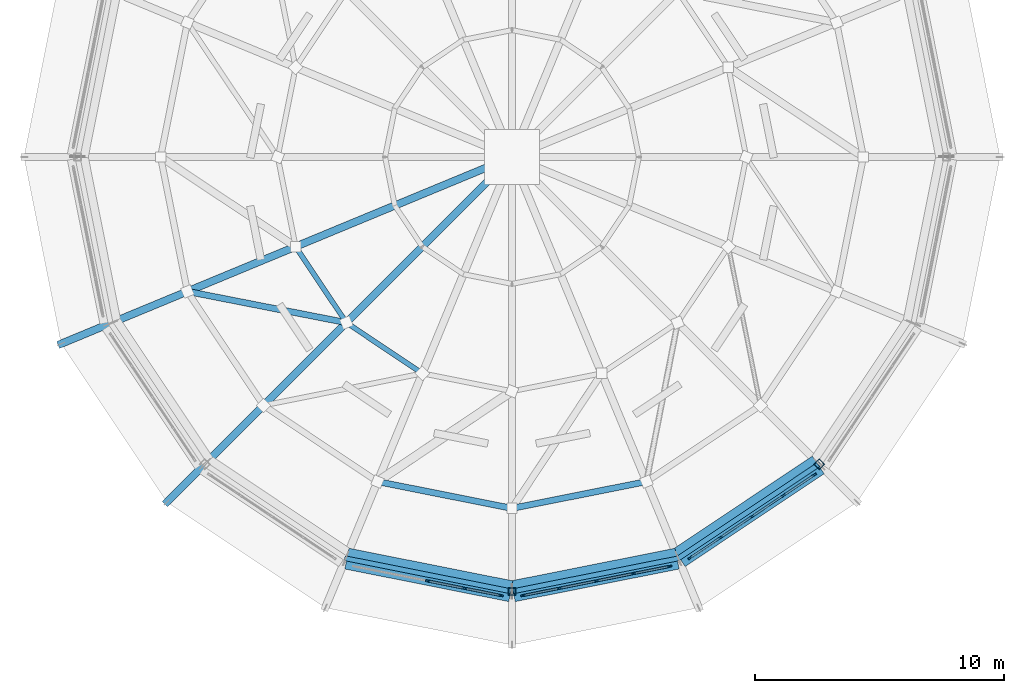
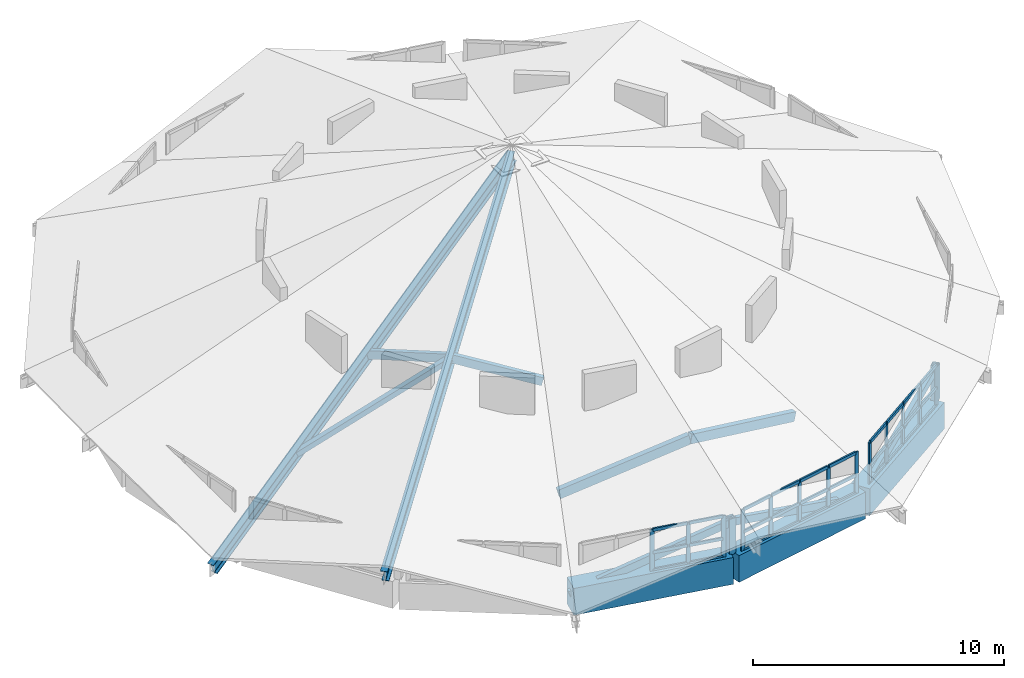
# One storey, part 2 of 18: 55 members, 3 beams, 3 elements without a shape of their own.
"""IFC4 building model written with IfcOpenShell, lengths in metres."""

from ifc_helpers import new_model, si_unit, direction, frame, origin, origin_2d, place, context, subcontext, project, spatial, rectangle, hollow_rectangle, i_section, extrude, material, material_profile, profile_set, type_object, element, aggregate, save


model = new_model("IFC4")

# Units and contexts
model_context = context("Model", 3, precision=1e-05, world=origin(), true_north=direction((0.0, 1.0)))
body_context = subcontext(model_context, "Body", "Model", "MODEL_VIEW")
ifc_project = project(units=[si_unit("LENGTHUNIT", "METRE"), si_unit("AREAUNIT", "SQUARE_METRE"), si_unit("VOLUMEUNIT", "CUBIC_METRE"), si_unit("PLANEANGLEUNIT", "RADIAN"), si_unit("MASSUNIT", "GRAM", prefix="KILO")], contexts=[model_context])

# Site, building, storey
site_placement = place(None, origin())
site = spatial("IfcSite", under=ifc_project, at=site_placement, CompositionType="ELEMENT")
building_placement = place(site_placement, origin())
building = spatial("IfcBuilding", under=site, at=building_placement, Name="Soyqirgoq Riverine Aquarium", CompositionType="ELEMENT")
storey_placement = place(building_placement, frame((0.0, 0.0, 29.39990234375)))
storey = spatial("IfcBuildingStorey", under=building, at=storey_placement, Name="RF", CompositionType="ELEMENT", Elevation=29.39990234375)

# Curtain wall, members
ifc_material_1 = material(Name="Anodised aluminium acoustic solar-control clerestory glazing", Category="aluminium")
curtain_wall_type = type_object("IfcCurtainWallType", Name="CW_Clerestory_Ring", PredefinedType="NOTDEFINED", material=ifc_material_1)
curtain_wall_1_placement = place(storey_placement, origin())
curtain_wall_1 = element("IfcCurtainWall", 1, at=curtain_wall_1_placement, inside=storey, type_object=curtain_wall_type, Name="V1 RF Curtain Wall 054", PredefinedType="NOTDEFINED")
ifc_material_2 = material(Name="Anodised aluminium 6063-T6", Category="aluminium")
ifc_material_profile_1 = material_profile(ifc_material_2, rectangle(XDim=0.06494140625, YDim=0.179931640625, at=origin_2d()), Name="ALU-M 65x180")
ifc_profile_set_1 = profile_set([ifc_material_profile_1], Name="Anodised aluminium 6063-T6")
member_type_1 = type_object("IfcMemberType", Name="CWMullion_65x180", PredefinedType="MULLION", material=ifc_profile_set_1)
member_1_placement = place(storey_placement, frame((52.61328125, 39.9736328125, -0.02001953125), z_axis=(0.0, 0.0, 1.0), x_axis=(0.19509525167, 0.980784299821, 0.0)))
member_1 = element("IfcMember", 2, at=member_1_placement, type_object=member_type_1, Name="CW-02 mullion 3", PredefinedType="MULLION", context=body_context, shape_type="SweptSolid", body=[
    extrude(rectangle(XDim=0.06494140625, YDim=0.179931640625, at=origin_2d()), origin(), (0.0, 0.0, 1.0), 2.0400390625),
])
member_2_placement = place(storey_placement, frame((54.1005859375, 39.677734375, -0.02001953125), z_axis=(0.0, 0.0, 1.0), x_axis=(0.19509525167, 0.980784299821, 0.0)))
member_2 = element("IfcMember", 3, at=member_2_placement, type_object=member_type_1, Name="CW-02 mullion 4", PredefinedType="MULLION", context=body_context, shape_type="SweptSolid", body=[
    extrude(rectangle(XDim=0.06494140625, YDim=0.179931640625, at=origin_2d()), origin(), (0.0, 0.0, 1.0), 2.0400390625),
])
member_3_placement = place(storey_placement, frame((55.55615234375, 39.38818359375, -0.02001953125), z_axis=(0.0, 0.0, 1.0), x_axis=(0.19509525167, 0.980784299821, 0.0)))
member_3 = element("IfcMember", 4, at=member_3_placement, type_object=member_type_1, Name="CW-02 mullion 5", PredefinedType="MULLION", context=body_context, shape_type="SweptSolid", body=[
    extrude(rectangle(XDim=0.06494140625, YDim=0.179931640625, at=origin_2d()), origin(), (0.0, 0.0, 1.0), 2.0400390625),
])

curtain_wall_2_placement = place(storey_placement, origin())
curtain_wall_2 = element("IfcCurtainWall", 5, at=curtain_wall_2_placement, inside=storey, type_object=curtain_wall_type, Name="V1 RF Curtain Wall 061", PredefinedType="NOTDEFINED")
member_4_placement = place(storey_placement, frame((56.44384765625, 39.38818359375, -0.02001953125), z_axis=(0.0, 0.0, 1.0), x_axis=(-0.19509525167, 0.980784299821, 0.0)))
member_4 = element("IfcMember", 6, at=member_4_placement, type_object=member_type_1, Name="CW-02 mullion 1", PredefinedType="MULLION", context=body_context, shape_type="SweptSolid", body=[
    extrude(rectangle(XDim=0.06494140625, YDim=0.179931640625, at=origin_2d()), origin(), (0.0, 0.0, 1.0), 2.0400390625),
])
member_5_placement = place(storey_placement, frame((57.8994140625, 39.677734375, -0.02001953125), z_axis=(0.0, 0.0, 1.0), x_axis=(-0.19509525167, 0.980784299821, 0.0)))
member_5 = element("IfcMember", 7, at=member_5_placement, type_object=member_type_1, Name="CW-02 mullion 2", PredefinedType="MULLION", context=body_context, shape_type="SweptSolid", body=[
    extrude(rectangle(XDim=0.06494140625, YDim=0.179931640625, at=origin_2d()), origin(), (0.0, 0.0, 1.0), 2.0400390625),
])
member_6_placement = place(storey_placement, frame((59.38671875, 39.9736328125, -0.02001953125), z_axis=(0.0, 0.0, 1.0), x_axis=(-0.19509525167, 0.980784299821, 0.0)))
member_6 = element("IfcMember", 8, at=member_6_placement, type_object=member_type_1, Name="CW-02 mullion 3", PredefinedType="MULLION", context=body_context, shape_type="SweptSolid", body=[
    extrude(rectangle(XDim=0.06494140625, YDim=0.179931640625, at=origin_2d()), origin(), (0.0, 0.0, 1.0), 2.0400390625),
])
member_7_placement = place(storey_placement, frame((60.874267578125, 40.26953125, -0.02001953125), z_axis=(0.0, 0.0, 1.0), x_axis=(-0.19509525167, 0.980784299821, 0.0)))
member_7 = element("IfcMember", 9, at=member_7_placement, type_object=member_type_1, Name="CW-02 mullion 4", PredefinedType="MULLION", context=body_context, shape_type="SweptSolid", body=[
    extrude(rectangle(XDim=0.06494140625, YDim=0.179931640625, at=origin_2d()), origin(), (0.0, 0.0, 1.0), 2.0400390625),
])
member_8_placement = place(storey_placement, frame((62.329833984375, 40.55908203125, -0.02001953125), z_axis=(0.0, 0.0, 1.0), x_axis=(-0.19509525167, 0.980784299821, 0.0)))
member_8 = element("IfcMember", 10, at=member_8_placement, type_object=member_type_1, Name="CW-02 mullion 5", PredefinedType="MULLION", context=body_context, shape_type="SweptSolid", body=[
    extrude(rectangle(XDim=0.06494140625, YDim=0.179931640625, at=origin_2d()), origin(), (0.0, 0.0, 1.0), 2.0400390625),
])

curtain_wall_3_placement = place(storey_placement, origin())
curtain_wall_3 = element("IfcCurtainWall", 11, at=curtain_wall_3_placement, inside=storey, type_object=curtain_wall_type, Name="V1 RF Curtain Wall 066", PredefinedType="NOTDEFINED")
member_9_placement = place(storey_placement, frame((63.149658203125, 40.898681640625, -0.02001953125), z_axis=(0.0, 0.0, 1.0), x_axis=(-0.555578639957, 0.831463994905, 0.0)))
member_9 = element("IfcMember", 12, at=member_9_placement, type_object=member_type_1, Name="CW-02 mullion 1", PredefinedType="MULLION", context=body_context, shape_type="SweptSolid", body=[
    extrude(rectangle(XDim=0.06494140625, YDim=0.179931640625, at=origin_2d()), origin(), (0.0, 0.0, 1.0), 2.0400390625),
])
member_10_placement = place(storey_placement, frame((64.3837890625, 41.72314453125, -0.02001953125), z_axis=(0.0, 0.0, 1.0), x_axis=(-0.555578639957, 0.831463994905, 0.0)))
member_10 = element("IfcMember", 13, at=member_10_placement, type_object=member_type_1, Name="CW-02 mullion 2", PredefinedType="MULLION", context=body_context, shape_type="SweptSolid", body=[
    extrude(rectangle(XDim=0.06494140625, YDim=0.179931640625, at=origin_2d()), origin(), (0.0, 0.0, 1.0), 2.0400390625),
])
member_11_placement = place(storey_placement, frame((65.64453125, 42.565673828125, -0.02001953125), z_axis=(0.0, 0.0, 1.0), x_axis=(-0.555578639957, 0.831463994905, 0.0)))
member_11 = element("IfcMember", 14, at=member_11_placement, type_object=member_type_1, Name="CW-02 mullion 3", PredefinedType="MULLION", context=body_context, shape_type="SweptSolid", body=[
    extrude(rectangle(XDim=0.06494140625, YDim=0.179931640625, at=origin_2d()), origin(), (0.0, 0.0, 1.0), 2.0400390625),
])
member_12_placement = place(storey_placement, frame((66.905517578125, 43.408203125, -0.02001953125), z_axis=(0.0, 0.0, 1.0), x_axis=(-0.555578639957, 0.831463994905, 0.0)))
member_12 = element("IfcMember", 15, at=member_12_placement, type_object=member_type_1, Name="CW-02 mullion 4", PredefinedType="MULLION", context=body_context, shape_type="SweptSolid", body=[
    extrude(rectangle(XDim=0.06494140625, YDim=0.179931640625, at=origin_2d()), origin(), (0.0, 0.0, 1.0), 2.0400390625),
])
member_13_placement = place(storey_placement, frame((68.1396484375, 44.23291015625, -0.02001953125), z_axis=(0.0, 0.0, 1.0), x_axis=(-0.555578639957, 0.831463994905, 0.0)))
member_13 = element("IfcMember", 16, at=member_13_placement, type_object=member_type_1, Name="CW-02 mullion 5", PredefinedType="MULLION", context=body_context, shape_type="SweptSolid", body=[
    extrude(rectangle(XDim=0.06494140625, YDim=0.179931640625, at=origin_2d()), origin(), (0.0, 0.0, 1.0), 2.0400390625),
])

# Member
ifc_material_3 = material(Name="Anodised aluminium 6063-T6", Category="aluminium")
ifc_material_profile_2 = material_profile(ifc_material_3, rectangle(XDim=0.074951171875, YDim=0.14990234375, at=origin_2d()), Name="ALU-T 75x150")
ifc_profile_set_2 = profile_set([ifc_material_profile_2], Name="Anodised aluminium 6063-T6")
member_type_2 = type_object("IfcMemberType", Name="CWTransom_75x150", PredefinedType="USERDEFINED", material=ifc_profile_set_2)
member_14_placement = place(storey_placement, frame((52.64501953125, 39.96728515625, 0.017578125), z_axis=(0.980787112176, -0.195081112847, 0.0), x_axis=(0.195081112847, 0.980787112176, 0.0)))
member_14 = element("IfcMember", 17, at=member_14_placement, type_object=member_type_2, Name="CW-02 transom 3.1", ObjectType="TRANSOM", PredefinedType="USERDEFINED", context=body_context, shape_type="SweptSolid", body=[
    extrude(rectangle(XDim=0.074951171875, YDim=0.14990234375, at=origin_2d()), origin(), (0.0, 0.0, 1.0), 1.45166015625),
])

member_15_placement = place(storey_placement, frame((52.64501953125, 39.96728515625, 0.898193359375), z_axis=(0.980787112176, -0.195081112847, 0.0), x_axis=(0.195081112847, 0.980787112176, 0.0)))
member_15 = element("IfcMember", 18, at=member_15_placement, type_object=member_type_2, Name="CW-02 transom 3.2", ObjectType="TRANSOM", PredefinedType="USERDEFINED", context=body_context, shape_type="SweptSolid", body=[
    extrude(rectangle(XDim=0.074951171875, YDim=0.14990234375, at=origin_2d()), origin(), (0.0, 0.0, 1.0), 1.45166015625),
])

member_16_placement = place(storey_placement, frame((52.64501953125, 39.96728515625, 1.982666015625), z_axis=(0.980787112176, -0.195081112847, 0.0), x_axis=(0.195081112847, 0.980787112176, 0.0)))
member_16 = element("IfcMember", 19, at=member_16_placement, type_object=member_type_2, Name="CW-02 transom 3.3", ObjectType="TRANSOM", PredefinedType="USERDEFINED", context=body_context, shape_type="SweptSolid", body=[
    extrude(rectangle(XDim=0.074951171875, YDim=0.14990234375, at=origin_2d()), origin(), (0.0, 0.0, 1.0), 1.45166015625),
])

member_17_placement = place(storey_placement, frame((54.132568359375, 39.67138671875, 0.017578125), z_axis=(0.980785260864, -0.195090420246, 0.0), x_axis=(0.195090420246, 0.980785260864, 0.0)))
member_17 = element("IfcMember", 20, at=member_17_placement, type_object=member_type_2, Name="CW-02 transom 4.1", ObjectType="TRANSOM", PredefinedType="USERDEFINED", context=body_context, shape_type="SweptSolid", body=[
    extrude(rectangle(XDim=0.074951171875, YDim=0.14990234375, at=origin_2d()), origin(), (0.0, 0.0, 1.0), 1.419189453125),
])

member_18_placement = place(storey_placement, frame((54.132568359375, 39.67138671875, 0.898193359375), z_axis=(0.980785260864, -0.195090420246, 0.0), x_axis=(0.195090420246, 0.980785260864, 0.0)))
member_18 = element("IfcMember", 21, at=member_18_placement, type_object=member_type_2, Name="CW-02 transom 4.2", ObjectType="TRANSOM", PredefinedType="USERDEFINED", context=body_context, shape_type="SweptSolid", body=[
    extrude(rectangle(XDim=0.074951171875, YDim=0.14990234375, at=origin_2d()), origin(), (0.0, 0.0, 1.0), 1.419189453125),
])

member_19_placement = place(storey_placement, frame((54.132568359375, 39.67138671875, 1.982666015625), z_axis=(0.980785260864, -0.195090420246, 0.0), x_axis=(0.195090420246, 0.980785260864, 0.0)))
member_19 = element("IfcMember", 22, at=member_19_placement, type_object=member_type_2, Name="CW-02 transom 4.3", ObjectType="TRANSOM", PredefinedType="USERDEFINED", context=body_context, shape_type="SweptSolid", body=[
    extrude(rectangle(XDim=0.074951171875, YDim=0.14990234375, at=origin_2d()), origin(), (0.0, 0.0, 1.0), 1.419189453125),
])

aggregate(curtain_wall_1, [member_1, member_2, member_3, member_14, member_15, member_16, member_17, member_18, member_19])

member_20_placement = place(storey_placement, frame((56.4755859375, 39.39453125, 0.017578125), z_axis=(0.980785260864, 0.195090420246, 0.0), x_axis=(-0.195090420246, 0.980785260864, 0.0)))
member_20 = element("IfcMember", 23, at=member_20_placement, type_object=member_type_2, Name="CW-02 transom 1.1", ObjectType="TRANSOM", PredefinedType="USERDEFINED", context=body_context, shape_type="SweptSolid", body=[
    extrude(rectangle(XDim=0.074951171875, YDim=0.14990234375, at=origin_2d()), origin(), (0.0, 0.0, 1.0), 1.419189453125),
])

member_21_placement = place(storey_placement, frame((56.4755859375, 39.39453125, 0.898193359375), z_axis=(0.980785260864, 0.195090420246, 0.0), x_axis=(-0.195090420246, 0.980785260864, 0.0)))
member_21 = element("IfcMember", 24, at=member_21_placement, type_object=member_type_2, Name="CW-02 transom 1.2", ObjectType="TRANSOM", PredefinedType="USERDEFINED", context=body_context, shape_type="SweptSolid", body=[
    extrude(rectangle(XDim=0.074951171875, YDim=0.14990234375, at=origin_2d()), origin(), (0.0, 0.0, 1.0), 1.419189453125),
])

member_22_placement = place(storey_placement, frame((56.4755859375, 39.39453125, 1.982666015625), z_axis=(0.980785260864, 0.195090420246, 0.0), x_axis=(-0.195090420246, 0.980785260864, 0.0)))
member_22 = element("IfcMember", 25, at=member_22_placement, type_object=member_type_2, Name="CW-02 transom 1.3", ObjectType="TRANSOM", PredefinedType="USERDEFINED", context=body_context, shape_type="SweptSolid", body=[
    extrude(rectangle(XDim=0.074951171875, YDim=0.14990234375, at=origin_2d()), origin(), (0.0, 0.0, 1.0), 1.419189453125),
])

member_23_placement = place(storey_placement, frame((57.93115234375, 39.68408203125, 0.017578125), z_axis=(0.980787112176, 0.195081112847, 0.0), x_axis=(-0.195081112847, 0.980787112176, 0.0)))
member_23 = element("IfcMember", 26, at=member_23_placement, type_object=member_type_2, Name="CW-02 transom 2.1", ObjectType="TRANSOM", PredefinedType="USERDEFINED", context=body_context, shape_type="SweptSolid", body=[
    extrude(rectangle(XDim=0.074951171875, YDim=0.14990234375, at=origin_2d()), origin(), (0.0, 0.0, 1.0), 1.45166015625),
])

member_24_placement = place(storey_placement, frame((57.93115234375, 39.68408203125, 0.898193359375), z_axis=(0.980787112176, 0.195081112847, 0.0), x_axis=(-0.195081112847, 0.980787112176, 0.0)))
member_24 = element("IfcMember", 27, at=member_24_placement, type_object=member_type_2, Name="CW-02 transom 2.2", ObjectType="TRANSOM", PredefinedType="USERDEFINED", context=body_context, shape_type="SweptSolid", body=[
    extrude(rectangle(XDim=0.074951171875, YDim=0.14990234375, at=origin_2d()), origin(), (0.0, 0.0, 1.0), 1.45166015625),
])

member_25_placement = place(storey_placement, frame((57.93115234375, 39.68408203125, 1.982666015625), z_axis=(0.980787112176, 0.195081112847, 0.0), x_axis=(-0.195081112847, 0.980787112176, 0.0)))
member_25 = element("IfcMember", 28, at=member_25_placement, type_object=member_type_2, Name="CW-02 transom 2.3", ObjectType="TRANSOM", PredefinedType="USERDEFINED", context=body_context, shape_type="SweptSolid", body=[
    extrude(rectangle(XDim=0.074951171875, YDim=0.14990234375, at=origin_2d()), origin(), (0.0, 0.0, 1.0), 1.45166015625),
])

member_26_placement = place(storey_placement, frame((59.418701171875, 39.97998046875, 0.017578125), z_axis=(0.980780710478, 0.195113295173, 0.0), x_axis=(-0.195113295173, 0.980780710478, 0.0)))
member_26 = element("IfcMember", 29, at=member_26_placement, type_object=member_type_2, Name="CW-02 transom 3.1", ObjectType="TRANSOM", PredefinedType="USERDEFINED", context=body_context, shape_type="SweptSolid", body=[
    extrude(rectangle(XDim=0.074951171875, YDim=0.14990234375, at=origin_2d()), origin(), (0.0, 0.0, 1.0), 1.451416015625),
])

member_27_placement = place(storey_placement, frame((59.418701171875, 39.97998046875, 0.898193359375), z_axis=(0.980780710478, 0.195113295173, 0.0), x_axis=(-0.195113295173, 0.980780710478, 0.0)))
member_27 = element("IfcMember", 30, at=member_27_placement, type_object=member_type_2, Name="CW-02 transom 3.2", ObjectType="TRANSOM", PredefinedType="USERDEFINED", context=body_context, shape_type="SweptSolid", body=[
    extrude(rectangle(XDim=0.074951171875, YDim=0.14990234375, at=origin_2d()), origin(), (0.0, 0.0, 1.0), 1.451416015625),
])

member_28_placement = place(storey_placement, frame((59.418701171875, 39.97998046875, 1.982666015625), z_axis=(0.980780710478, 0.195113295173, 0.0), x_axis=(-0.195113295173, 0.980780710478, 0.0)))
member_28 = element("IfcMember", 31, at=member_28_placement, type_object=member_type_2, Name="CW-02 transom 3.3", ObjectType="TRANSOM", PredefinedType="USERDEFINED", context=body_context, shape_type="SweptSolid", body=[
    extrude(rectangle(XDim=0.074951171875, YDim=0.14990234375, at=origin_2d()), origin(), (0.0, 0.0, 1.0), 1.451416015625),
])

member_29_placement = place(storey_placement, frame((60.906005859375, 40.27587890625, 0.017578125), z_axis=(0.980785260864, 0.195090420246, 0.0), x_axis=(-0.195090420246, 0.980785260864, 0.0)))
member_29 = element("IfcMember", 32, at=member_29_placement, type_object=member_type_2, Name="CW-02 transom 4.1", ObjectType="TRANSOM", PredefinedType="USERDEFINED", context=body_context, shape_type="SweptSolid", body=[
    extrude(rectangle(XDim=0.074951171875, YDim=0.14990234375, at=origin_2d()), origin(), (0.0, 0.0, 1.0), 1.419189453125),
])

member_30_placement = place(storey_placement, frame((60.906005859375, 40.27587890625, 0.898193359375), z_axis=(0.980785260864, 0.195090420246, 0.0), x_axis=(-0.195090420246, 0.980785260864, 0.0)))
member_30 = element("IfcMember", 33, at=member_30_placement, type_object=member_type_2, Name="CW-02 transom 4.2", ObjectType="TRANSOM", PredefinedType="USERDEFINED", context=body_context, shape_type="SweptSolid", body=[
    extrude(rectangle(XDim=0.074951171875, YDim=0.14990234375, at=origin_2d()), origin(), (0.0, 0.0, 1.0), 1.419189453125),
])

member_31_placement = place(storey_placement, frame((60.906005859375, 40.27587890625, 1.982666015625), z_axis=(0.980785260864, 0.195090420246, 0.0), x_axis=(-0.195090420246, 0.980785260864, 0.0)))
member_31 = element("IfcMember", 34, at=member_31_placement, type_object=member_type_2, Name="CW-02 transom 4.3", ObjectType="TRANSOM", PredefinedType="USERDEFINED", context=body_context, shape_type="SweptSolid", body=[
    extrude(rectangle(XDim=0.074951171875, YDim=0.14990234375, at=origin_2d()), origin(), (0.0, 0.0, 1.0), 1.419189453125),
])

aggregate(curtain_wall_2, [member_4, member_5, member_6, member_7, member_8, member_20, member_21, member_22, member_23, member_24, member_25, member_26, member_27, member_28, member_29, member_30, member_31])

member_32_placement = place(storey_placement, frame((63.1767578125, 40.916748046875, 0.017578125), z_axis=(0.831494038542, 0.55553367483, 0.0), x_axis=(-0.55553367483, 0.831494038542, 0.0)))
member_32 = element("IfcMember", 35, at=member_32_placement, type_object=member_type_2, Name="CW-02 transom 1.1", ObjectType="TRANSOM", PredefinedType="USERDEFINED", context=body_context, shape_type="SweptSolid", body=[
    extrude(rectangle(XDim=0.074951171875, YDim=0.14990234375, at=origin_2d()), origin(), (0.0, 0.0, 1.0), 1.4189453125),
])

member_33_placement = place(storey_placement, frame((63.1767578125, 40.916748046875, 0.898193359375), z_axis=(0.831494038542, 0.55553367483, 0.0), x_axis=(-0.55553367483, 0.831494038542, 0.0)))
member_33 = element("IfcMember", 36, at=member_33_placement, type_object=member_type_2, Name="CW-02 transom 1.2", ObjectType="TRANSOM", PredefinedType="USERDEFINED", context=body_context, shape_type="SweptSolid", body=[
    extrude(rectangle(XDim=0.074951171875, YDim=0.14990234375, at=origin_2d()), origin(), (0.0, 0.0, 1.0), 1.4189453125),
])

member_34_placement = place(storey_placement, frame((63.1767578125, 40.916748046875, 1.982666015625), z_axis=(0.831494038542, 0.55553367483, 0.0), x_axis=(-0.55553367483, 0.831494038542, 0.0)))
member_34 = element("IfcMember", 37, at=member_34_placement, type_object=member_type_2, Name="CW-02 transom 1.3", ObjectType="TRANSOM", PredefinedType="USERDEFINED", context=body_context, shape_type="SweptSolid", body=[
    extrude(rectangle(XDim=0.074951171875, YDim=0.14990234375, at=origin_2d()), origin(), (0.0, 0.0, 1.0), 1.4189453125),
])

member_35_placement = place(storey_placement, frame((64.41064453125, 41.7412109375, 0.017578125), z_axis=(0.831506528289, 0.555514980368, 0.0), x_axis=(-0.555514980368, 0.831506528289, 0.0)))
member_35 = element("IfcMember", 38, at=member_35_placement, type_object=member_type_2, Name="CW-02 transom 2.1", ObjectType="TRANSOM", PredefinedType="USERDEFINED", context=body_context, shape_type="SweptSolid", body=[
    extrude(rectangle(XDim=0.074951171875, YDim=0.14990234375, at=origin_2d()), origin(), (0.0, 0.0, 1.0), 1.45166015625),
])

member_36_placement = place(storey_placement, frame((64.41064453125, 41.7412109375, 0.898193359375), z_axis=(0.831506528289, 0.555514980368, 0.0), x_axis=(-0.555514980368, 0.831506528289, 0.0)))
member_36 = element("IfcMember", 39, at=member_36_placement, type_object=member_type_2, Name="CW-02 transom 2.2", ObjectType="TRANSOM", PredefinedType="USERDEFINED", context=body_context, shape_type="SweptSolid", body=[
    extrude(rectangle(XDim=0.074951171875, YDim=0.14990234375, at=origin_2d()), origin(), (0.0, 0.0, 1.0), 1.45166015625),
])

member_37_placement = place(storey_placement, frame((64.41064453125, 41.7412109375, 1.982666015625), z_axis=(0.831506528289, 0.555514980368, 0.0), x_axis=(-0.555514980368, 0.831506528289, 0.0)))
member_37 = element("IfcMember", 40, at=member_37_placement, type_object=member_type_2, Name="CW-02 transom 2.3", ObjectType="TRANSOM", PredefinedType="USERDEFINED", context=body_context, shape_type="SweptSolid", body=[
    extrude(rectangle(XDim=0.074951171875, YDim=0.14990234375, at=origin_2d()), origin(), (0.0, 0.0, 1.0), 1.45166015625),
])

member_38_placement = place(storey_placement, frame((65.671630859375, 42.583740234375, 0.017578125), z_axis=(0.831428840366, 0.555631247688, 0.0), x_axis=(-0.555631247688, 0.831428840366, 0.0)))
member_38 = element("IfcMember", 41, at=member_38_placement, type_object=member_type_2, Name="CW-02 transom 3.1", ObjectType="TRANSOM", PredefinedType="USERDEFINED", context=body_context, shape_type="SweptSolid", body=[
    extrude(rectangle(XDim=0.074951171875, YDim=0.14990234375, at=origin_2d()), origin(), (0.0, 0.0, 1.0), 1.45166015625),
])

member_39_placement = place(storey_placement, frame((65.671630859375, 42.583740234375, 0.898193359375), z_axis=(0.831428840366, 0.555631247688, 0.0), x_axis=(-0.555631247688, 0.831428840366, 0.0)))
member_39 = element("IfcMember", 42, at=member_39_placement, type_object=member_type_2, Name="CW-02 transom 3.2", ObjectType="TRANSOM", PredefinedType="USERDEFINED", context=body_context, shape_type="SweptSolid", body=[
    extrude(rectangle(XDim=0.074951171875, YDim=0.14990234375, at=origin_2d()), origin(), (0.0, 0.0, 1.0), 1.45166015625),
])

member_40_placement = place(storey_placement, frame((65.671630859375, 42.583740234375, 1.982666015625), z_axis=(0.831428840366, 0.555631247688, 0.0), x_axis=(-0.555631247688, 0.831428840366, 0.0)))
member_40 = element("IfcMember", 43, at=member_40_placement, type_object=member_type_2, Name="CW-02 transom 3.3", ObjectType="TRANSOM", PredefinedType="USERDEFINED", context=body_context, shape_type="SweptSolid", body=[
    extrude(rectangle(XDim=0.074951171875, YDim=0.14990234375, at=origin_2d()), origin(), (0.0, 0.0, 1.0), 1.45166015625),
])

member_41_placement = place(storey_placement, frame((66.9326171875, 43.42626953125, 0.017578125), z_axis=(0.831414566046, 0.555652606731, 0.0), x_axis=(-0.555652606731, 0.831414566046, 0.0)))
member_41 = element("IfcMember", 44, at=member_41_placement, type_object=member_type_2, Name="CW-02 transom 4.1", ObjectType="TRANSOM", PredefinedType="USERDEFINED", context=body_context, shape_type="SweptSolid", body=[
    extrude(rectangle(XDim=0.074951171875, YDim=0.14990234375, at=origin_2d()), origin(), (0.0, 0.0, 1.0), 1.419189453125),
])

member_42_placement = place(storey_placement, frame((66.9326171875, 43.42626953125, 0.898193359375), z_axis=(0.831414566046, 0.555652606731, 0.0), x_axis=(-0.555652606731, 0.831414566046, 0.0)))
member_42 = element("IfcMember", 45, at=member_42_placement, type_object=member_type_2, Name="CW-02 transom 4.2", ObjectType="TRANSOM", PredefinedType="USERDEFINED", context=body_context, shape_type="SweptSolid", body=[
    extrude(rectangle(XDim=0.074951171875, YDim=0.14990234375, at=origin_2d()), origin(), (0.0, 0.0, 1.0), 1.419189453125),
])

member_43_placement = place(storey_placement, frame((66.9326171875, 43.42626953125, 1.982666015625), z_axis=(0.831414566046, 0.555652606731, 0.0), x_axis=(-0.555652606731, 0.831414566046, 0.0)))
member_43 = element("IfcMember", 46, at=member_43_placement, type_object=member_type_2, Name="CW-02 transom 4.3", ObjectType="TRANSOM", PredefinedType="USERDEFINED", context=body_context, shape_type="SweptSolid", body=[
    extrude(rectangle(XDim=0.074951171875, YDim=0.14990234375, at=origin_2d()), origin(), (0.0, 0.0, 1.0), 1.419189453125),
])

aggregate(curtain_wall_3, [member_9, member_10, member_11, member_12, member_13, member_32, member_33, member_34, member_35, member_36, member_37, member_38, member_39, member_40, member_41, member_42, member_43])

# Members
ifc_material_4 = material(Name="Structural steel S355", Category="steel")
ifc_material_profile_3 = material_profile(ifc_material_4, i_section(OverallWidth=0.300048828125, OverallDepth=0.60009765625, WebThickness=0.015380859375, FlangeThickness=0.030029296875, FilletRadius=0.027099609375, at=origin_2d()), Name="HEB 600")
ifc_profile_set_3 = profile_set([ifc_material_profile_3], Name="Structural steel S355")
member_type_3 = type_object("IfcMemberType", Name="FoldChord_HEB600", PredefinedType="CHORD", material=ifc_profile_set_3)
member_44_placement = place(storey_placement, frame((37.89208984375, 49.49951171875, -0.52001953125), z_axis=(0.836326324469, 0.346415226376, 0.42491736836), x_axis=(-0.382681094144, 0.923880501031, 0.0)))
element("IfcMember", 47, at=member_44_placement, inside=storey, type_object=member_type_3, Name="V1 Radial Folded-Plate Valley Rib 10", PredefinedType="CHORD", context=body_context, shape_type="SweptSolid", body=[
    extrude(i_section(OverallWidth=0.300048828125, OverallDepth=0.60009765625, WebThickness=0.015380859375, FlangeThickness=0.030029296875, FilletRadius=0.027099609375, at=origin_2d()), origin(), (0.0, 0.0, 1.0), 21.651611328125),
])
ifc_material_5 = material(Name="Structural steel S355", Category="steel")
ifc_material_profile_4 = material_profile(ifc_material_5, i_section(OverallWidth=0.300048828125, OverallDepth=0.64990234375, WebThickness=0.01611328125, FlangeThickness=0.031005859375, FilletRadius=0.027099609375, at=origin_2d()), Name="HEB 650")
ifc_profile_set_4 = profile_set([ifc_material_profile_4], Name="Structural steel S355")
member_type_4 = type_object("IfcMemberType", Name="FoldChord_HEB650", PredefinedType="CHORD", material=ifc_profile_set_4)
member_45_placement = place(storey_placement, frame((42.140625, 43.140625, 1.47998046875), z_axis=(0.663738078891, 0.663738078891, 0.344823904711), x_axis=(-0.707106781187, 0.707106781187, 0.0)))
element("IfcMember", 48, at=member_45_placement, inside=storey, type_object=member_type_4, Name="V1 Radial Folded-Plate Ridge Rib 11", PredefinedType="CHORD", context=body_context, shape_type="SweptSolid", body=[
    extrude(i_section(OverallWidth=0.300048828125, OverallDepth=0.64990234375, WebThickness=0.01611328125, FlangeThickness=0.031005859375, FilletRadius=0.027099609375, at=origin_2d()), origin(), (0.0, 0.0, 1.0), 20.880859375),
])
ifc_material_6 = material(Name="Structural steel S355", Category="steel")
ifc_material_profile_5 = material_profile(ifc_material_6, hollow_rectangle(XDim=0.199951171875, YDim=0.35009765625, WallThickness=0.012451171875, at=origin_2d()), Name="RHS 350x200x12.5")
ifc_profile_set_5 = profile_set([ifc_material_profile_5], Name="Structural steel S355")
member_type_5 = type_object("IfcMemberType", Name="GableChord_RHS350x200", PredefinedType="CHORD", material=ifc_profile_set_5)
for number, where, z_axis, x_axis, name in (
    (49, (49.322265625, 40.87841796875, -0.52001953125), (0.941023577126, -0.187193232054, 0.281839176068), (0.195102357575, 0.980782886305, 0.0), "V1 Folded-Plate Gable Edge Chord 12"),
    (50, (56.0, 39.550048828125, 1.47998046875), (0.941023577126, 0.187193232054, -0.281839176068), (-0.195102357575, 0.980782886305, 0.0), "V1 Folded-Plate Gable Edge Chord 13"),
):
    element("IfcMember", number, at=place(storey_placement, frame(where, z_axis=z_axis, x_axis=x_axis)), inside=storey, type_object=member_type_5, Name=name, PredefinedType="CHORD", context=body_context, shape_type="SweptSolid", body=[
        extrude(hollow_rectangle(XDim=0.199951171875, YDim=0.35009765625, WallThickness=0.012451171875, at=origin_2d()), origin(), (0.0, 0.0, 1.0), 7.09619140625),
    ])
member_46_placement = place(storey_placement, frame((62.677734375, 40.87841796875, -0.52001953125), z_axis=(0.797786450374, 0.533015890105, 0.281834775172), x_axis=(-0.555535665087, 0.831492708817, 0.0)))
element("IfcMember", 51, at=member_46_placement, inside=storey, type_object=member_type_5, Name="V1 Folded-Plate Gable Edge Chord 14", PredefinedType="CHORD", context=body_context, shape_type="SweptSolid", body=[
    extrude(hollow_rectangle(XDim=0.199951171875, YDim=0.35009765625, WallThickness=0.012451171875, at=origin_2d()), origin(), (0.0, 0.0, 1.0), 7.096435546875),
])

# Beams
ifc_material_7 = material(Name="Concrete C40/50", Category="concrete")
ifc_material_profile_6 = material_profile(ifc_material_7, rectangle(XDim=0.85009765625, YDim=1.300048828125, at=origin_2d()), Name="RC 850x1300")
ifc_profile_set_6 = profile_set([ifc_material_profile_6], Name="Concrete C40/50")
beam_type = type_object("IfcBeamType", Name="Girder_RC_850x1300", PredefinedType="BEAM", material=ifc_profile_set_6)
for number, where, z_axis, x_axis, name in (
    (52, (49.37109375, 40.868408203125, -0.64990234375), (0.980791457792, -0.195059263618, 0.0), (0.195059263618, 0.980791457792, 0.0), "V1 RF Folded-Plate Compression Ring Girder 0165"),
    (53, (56.049072265625, 39.559814453125, -0.64990234375), (0.980791457792, 0.195059263618, 0.0), (-0.195059263618, 0.980791457792, 0.0), "V1 RF Folded-Plate Compression Ring Girder 0166"),
):
    element("IfcBeam", number, at=place(storey_placement, frame(where, z_axis=z_axis, x_axis=x_axis)), inside=storey, type_object=beam_type, Name=name, PredefinedType="BEAM", context=body_context, shape_type="SweptSolid", body=[
        extrude(rectangle(XDim=0.85009765625, YDim=1.300048828125, at=origin_2d()), origin(), (0.0, 0.0, 1.0), 6.708740234375),
    ])
beam_placement = place(storey_placement, frame((62.719482421875, 40.906005859375, -0.64990234375), z_axis=(0.831450738832, 0.555598478126, 0.0), x_axis=(-0.555598478126, 0.831450738832, 0.0)))
element("IfcBeam", 54, at=beam_placement, inside=storey, type_object=beam_type, Name="V1 RF Folded-Plate Compression Ring Girder 0167", PredefinedType="BEAM", context=body_context, shape_type="SweptSolid", body=[
    extrude(rectangle(XDim=0.85009765625, YDim=1.300048828125, at=origin_2d()), origin(), (0.0, 0.0, 1.0), 6.70849609375),
])

# Members
ifc_material_8 = material(Name="Structural steel S355", Category="steel")
ifc_material_profile_7 = material_profile(ifc_material_8, hollow_rectangle(XDim=0.199951171875, YDim=0.39990234375, WallThickness=0.013916015625, at=origin_2d()), Name="RHS 400x200x14")
ifc_profile_set_7 = profile_set([ifc_material_profile_7], Name="Structural steel S355")
member_type_6 = type_object("IfcMemberType", Name="RingChord_RHS400x200", PredefinedType="CHORD", material=ifc_profile_set_7)
for number, where, z_axis, x_axis, name in (
    (55, (47.30810546875, 53.399658203125, 4.26416015625), (0.537469755338, -0.804435158773, 0.253002643121), (0.831487103364, 0.555544054903, 0.0), "V1 Folded-Plate Circumferential Ring Chord 0108"),
    (56, (49.347412109375, 50.347412109375, 5.22412109375), (0.804435158773, -0.537469755338, -0.253002643121), (0.555544054903, 0.831487103364, 0.0), "V1 Folded-Plate Circumferential Ring Chord 0113"),
):
    element("IfcMember", number, at=place(storey_placement, frame(where, z_axis=z_axis, x_axis=x_axis)), inside=storey, type_object=member_type_6, Name=name, PredefinedType="CHORD", context=body_context, shape_type="SweptSolid", body=[
        extrude(hollow_rectangle(XDim=0.199951171875, YDim=0.39990234375, WallThickness=0.013916015625, at=origin_2d()), origin(), (0.0, 0.0, 1.0), 3.794189453125),
    ])
ifc_material_9 = material(Name="Structural steel S355", Category="steel")
ifc_material_profile_8 = material_profile(ifc_material_9, hollow_rectangle(XDim=0.25, YDim=0.449951171875, WallThickness=0.01611328125, at=origin_2d()), Name="RHS 450x250x16")
ifc_profile_set_8 = profile_set([ifc_material_profile_8], Name="Structural steel S355")
member_type_7 = type_object("IfcMemberType", Name="RingChord_RHS450x250", PredefinedType="CHORD", material=ifc_profile_set_8)
for number, where, z_axis, x_axis, name in (
    (57, (50.599609375, 43.962158203125, 2.05615234375), (0.94887499158, -0.188745477529, 0.253004733288), (0.195092814307, 0.980784784652, 0.0), "V1 Folded-Plate Circumferential Ring Chord 0117"),
    (58, (56.0, 42.887939453125, 3.49609375), (0.94887499158, 0.188745477529, -0.253004733288), (-0.195092814307, 0.980784784652, 0.0), "V1 Folded-Plate Circumferential Ring Chord 0122"),
):
    element("IfcMember", number, at=place(storey_placement, frame(where, z_axis=z_axis, x_axis=x_axis)), inside=storey, type_object=member_type_7, Name=name, PredefinedType="CHORD", context=body_context, shape_type="SweptSolid", body=[
        extrude(hollow_rectangle(XDim=0.25, YDim=0.449951171875, WallThickness=0.01611328125, at=origin_2d()), origin(), (0.0, 0.0, 1.0), 5.69140625),
    ])
ifc_material_10 = material(Name="Structural steel S355", Category="steel")
ifc_material_profile_9 = material_profile(ifc_material_10, hollow_rectangle(XDim=0.25, YDim=0.25, WallThickness=0.012451171875, at=origin_2d()), Name="SHS 250x250x12.5")
ifc_profile_set_9 = profile_set([ifc_material_profile_9], Name="Structural steel S355")
member_type_8 = type_object("IfcMemberType", Name="Strut_SHS250", PredefinedType="POST", material=ifc_profile_set_9)
member_47_placement = place(storey_placement, frame((42.962158203125, 51.599609375, 2.0361328125), z_axis=(0.88229560514, -0.173024935336, 0.437740604584), x_axis=(0.192442090434, 0.981308331683, 0.0)))
element("IfcMember", 59, at=member_47_placement, inside=storey, type_object=member_type_8, Name="V1 Folded-Plate Lateral Brace 10", PredefinedType="POST", context=body_context, shape_type="SweptSolid", body=[
    extrude(hollow_rectangle(XDim=0.25, YDim=0.25, WallThickness=0.012451171875, at=origin_2d()), origin(), (0.0, 0.0, 1.0), 7.237060546875),
])
ifc_material_11 = material(Name="Structural steel S355", Category="steel")
ifc_material_profile_10 = material_profile(ifc_material_11, hollow_rectangle(XDim=0.300048828125, YDim=0.300048828125, WallThickness=0.01611328125, at=origin_2d()), Name="SHS 300x300x16")
ifc_profile_set_10 = profile_set([ifc_material_profile_10], Name="Structural steel S355")
member_type_9 = type_object("IfcMemberType", Name="Strut_SHS300", PredefinedType="POST", material=ifc_profile_set_10)
for number, where, z_axis, x_axis, name in (
    (60, (56.0, 39.550048828125, -0.0498046875), (0.0, 0.0, 1.0), (0.0, -1.0, 0.0), "V1 Folded-Plate Ridge Post 12"),
    (61, (68.339111328125, 44.660888671875, -0.0498046875), (0.0, 0.0, 1.0), (0.707106781187, -0.707106781187, 0.0), "V1 Folded-Plate Ridge Post 14"),
):
    element("IfcMember", number, at=place(storey_placement, frame(where, z_axis=z_axis, x_axis=x_axis)), inside=storey, type_object=member_type_9, Name=name, PredefinedType="POST", context=body_context, shape_type="SweptSolid", body=[
        extrude(hollow_rectangle(XDim=0.300048828125, YDim=0.300048828125, WallThickness=0.01611328125, at=origin_2d()), origin(), (0.0, 0.0, 1.0), 1.75),
    ])

save(model, "model.ifc")
